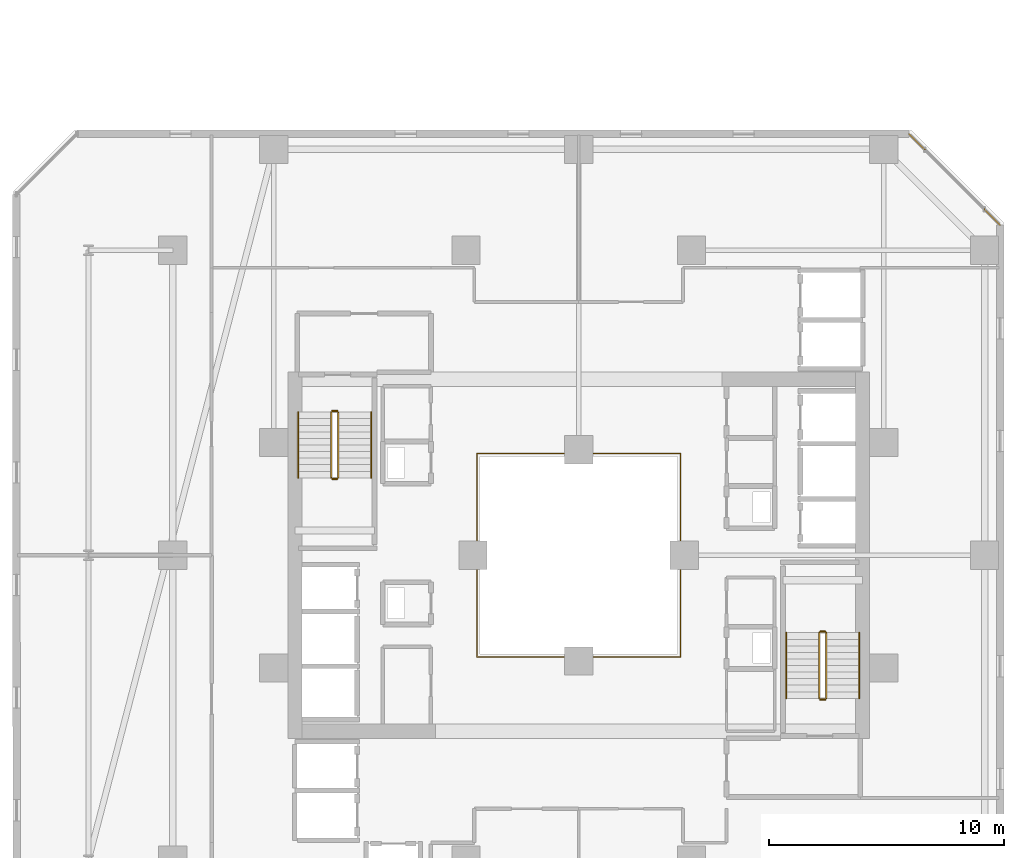
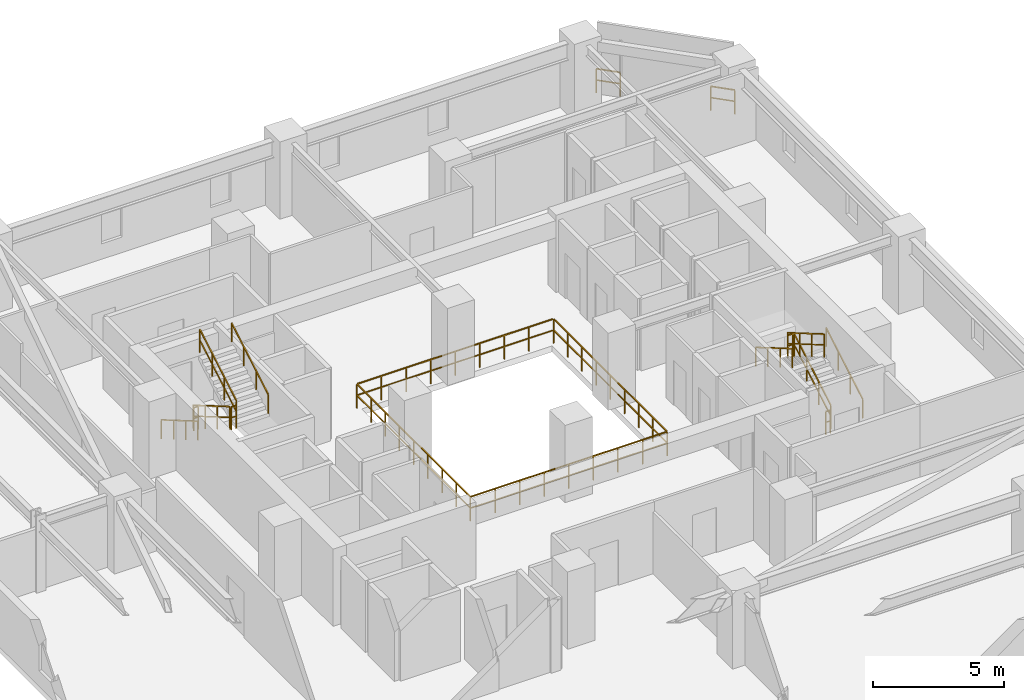
# One storey, part 33 of 33: 15 railings.
"""IFC4 building model written with IfcOpenShell, lengths in metres."""

from ifc_helpers import new_model, si_unit, direction, frame, origin, origin_2d, place, context, subcontext, project, spatial, rectangle, extrude, material, type_object, element, save


model = new_model("IFC4")

# Units and contexts
model_context = context("Model", 3, precision=1e-05, world=origin(), true_north=direction((0.0, 1.0)))
body_context = subcontext(model_context, "Body", "Model", "MODEL_VIEW")
ifc_project = project(units=[si_unit("LENGTHUNIT", "METRE"), si_unit("AREAUNIT", "SQUARE_METRE"), si_unit("VOLUMEUNIT", "CUBIC_METRE"), si_unit("PLANEANGLEUNIT", "RADIAN"), si_unit("MASSUNIT", "GRAM", prefix="KILO")], contexts=[model_context])

# Site, building, storey
site_placement = place(None, origin())
site = spatial("IfcSite", under=ifc_project, at=site_placement, CompositionType="ELEMENT")
building_placement = place(site_placement, origin())
building = spatial("IfcBuilding", under=site, at=building_placement, Name="Thornwick Lancets Civic Towers", CompositionType="ELEMENT")
storey_placement = place(building_placement, frame((0.0, 0.0, 101.699951171875)))
storey = spatial("IfcBuildingStorey", under=building, at=storey_placement, Name="L26", CompositionType="ELEMENT", Elevation=101.699951171875)

# Railings
ifc_material_1 = material(Name="Laminated glass and bronze steel S355", Category="steel")
railing_type_1 = type_object("IfcRailingType", Name="RAIL_ATRIUM_GUARD", PredefinedType="BALUSTRADE", material=ifc_material_1)
railing_1_placement = place(storey_placement, frame((84.159912109375, 22.659912109375, 0.0)))
element("IfcRailing", 1, at=railing_1_placement, inside=storey, type_object=railing_type_1, Name="L26 Tower B Central Atrium Guard Balustrade", PredefinedType="BALUSTRADE", context=body_context, shape_type="SweptSolid", body=[
    extrude(rectangle(XDim=0.048095703125, YDim=0.048095703125, at=origin_2d()), frame((0.0, 0.0, 1.1259765625), z_axis=(1.0, 0.0, 0.0), x_axis=(0.0, 1.0, 0.0)), (0.0, 0.0, 1.0), 8.64892578125),
    extrude(rectangle(XDim=0.0419921875, YDim=0.0419921875, at=origin_2d()), frame((0.03759765625, 0.0, 0.597900390625), z_axis=(1.0, 0.0, 0.0), x_axis=(0.0, 1.0, 0.0)), (0.0, 0.0, 1.0), 1.010009765625),
    extrude(rectangle(XDim=0.0419921875, YDim=0.0419921875, at=origin_2d()), frame((1.12255859375, 0.0, 0.597900390625), z_axis=(1.0, 0.0, 0.0), x_axis=(0.0, 1.0, 0.0)), (0.0, 0.0, 1.0), 1.010009765625),
    extrude(rectangle(XDim=0.0419921875, YDim=0.0419921875, at=origin_2d()), frame((2.20751953125, 0.0, 0.597900390625), z_axis=(1.0, 0.0, 0.0), x_axis=(0.0, 1.0, 0.0)), (0.0, 0.0, 1.0), 1.010009765625),
    extrude(rectangle(XDim=0.0419921875, YDim=0.0419921875, at=origin_2d()), frame((3.29248046875, 0.0, 0.597900390625), z_axis=(1.0, 0.0, 0.0), x_axis=(0.0, 1.0, 0.0)), (0.0, 0.0, 1.0), 1.010009765625),
    extrude(rectangle(XDim=0.0419921875, YDim=0.0419921875, at=origin_2d()), frame((4.377685546875, 0.0, 0.597900390625), z_axis=(1.0, 0.0, 0.0), x_axis=(0.0, 1.0, 0.0)), (0.0, 0.0, 1.0), 1.010009765625),
    extrude(rectangle(XDim=0.0419921875, YDim=0.0419921875, at=origin_2d()), frame((5.462646484375, 0.0, 0.597900390625), z_axis=(1.0, 0.0, 0.0), x_axis=(0.0, 1.0, 0.0)), (0.0, 0.0, 1.0), 1.010009765625),
    extrude(rectangle(XDim=0.0419921875, YDim=0.0419921875, at=origin_2d()), frame((6.547607421875, 0.0, 0.597900390625), z_axis=(1.0, 0.0, 0.0), x_axis=(0.0, 1.0, 0.0)), (0.0, 0.0, 1.0), 1.010009765625),
    extrude(rectangle(XDim=0.0419921875, YDim=0.0419921875, at=origin_2d()), frame((7.632568359375, 0.0, 0.597900390625), z_axis=(1.0, 0.0, 0.0), x_axis=(0.0, 1.0, 0.0)), (0.0, 0.0, 1.0), 1.010009765625),
    extrude(rectangle(XDim=0.048095703125, YDim=0.048095703125, at=origin_2d()), frame((8.68017578125, 0.03125, 1.1259765625), z_axis=(0.0, 1.0, 0.0), x_axis=(-1.0, 0.0, 0.0)), (0.0, 0.0, 1.0), 8.61767578125),
    extrude(rectangle(XDim=0.0419921875, YDim=0.0419921875, at=origin_2d()), frame((8.68017578125, 0.03759765625, 0.597900390625), z_axis=(0.0, 1.0, 0.0), x_axis=(-1.0, 0.0, 0.0)), (0.0, 0.0, 1.0), 1.010009765625),
    extrude(rectangle(XDim=0.0419921875, YDim=0.0419921875, at=origin_2d()), frame((8.68017578125, 1.12255859375, 0.597900390625), z_axis=(0.0, 1.0, 0.0), x_axis=(-1.0, 0.0, 0.0)), (0.0, 0.0, 1.0), 1.010009765625),
    extrude(rectangle(XDim=0.0419921875, YDim=0.0419921875, at=origin_2d()), frame((8.68017578125, 2.20751953125, 0.597900390625), z_axis=(0.0, 1.0, 0.0), x_axis=(-1.0, 0.0, 0.0)), (0.0, 0.0, 1.0), 1.010009765625),
    extrude(rectangle(XDim=0.0419921875, YDim=0.0419921875, at=origin_2d()), frame((8.68017578125, 3.29248046875, 0.597900390625), z_axis=(0.0, 1.0, 0.0), x_axis=(-1.0, 0.0, 0.0)), (0.0, 0.0, 1.0), 1.010009765625),
    extrude(rectangle(XDim=0.0419921875, YDim=0.0419921875, at=origin_2d()), frame((8.68017578125, 4.377685546875, 0.597900390625), z_axis=(0.0, 1.0, 0.0), x_axis=(-1.0, 0.0, 0.0)), (0.0, 0.0, 1.0), 1.010009765625),
    extrude(rectangle(XDim=0.0419921875, YDim=0.0419921875, at=origin_2d()), frame((8.68017578125, 5.462646484375, 0.597900390625), z_axis=(0.0, 1.0, 0.0), x_axis=(-1.0, 0.0, 0.0)), (0.0, 0.0, 1.0), 1.010009765625),
    extrude(rectangle(XDim=0.0419921875, YDim=0.0419921875, at=origin_2d()), frame((8.68017578125, 6.547607421875, 0.597900390625), z_axis=(0.0, 1.0, 0.0), x_axis=(-1.0, 0.0, 0.0)), (0.0, 0.0, 1.0), 1.010009765625),
    extrude(rectangle(XDim=0.0419921875, YDim=0.0419921875, at=origin_2d()), frame((8.68017578125, 7.632568359375, 0.597900390625), z_axis=(0.0, 1.0, 0.0), x_axis=(-1.0, 0.0, 0.0)), (0.0, 0.0, 1.0), 1.010009765625),
    extrude(rectangle(XDim=0.048095703125, YDim=0.048095703125, at=origin_2d()), frame((8.64892578125, 8.68017578125, 1.1259765625), z_axis=(-1.0, 0.0, 0.0), x_axis=(0.0, -1.0, 0.0)), (0.0, 0.0, 1.0), 8.61767578125),
    extrude(rectangle(XDim=0.0419921875, YDim=0.0419921875, at=origin_2d()), frame((8.642578125, 8.68017578125, 0.597900390625), z_axis=(-1.0, 0.0, 0.0), x_axis=(0.0, -1.0, 0.0)), (0.0, 0.0, 1.0), 1.010009765625),
    extrude(rectangle(XDim=0.0419921875, YDim=0.0419921875, at=origin_2d()), frame((7.5576171875, 8.68017578125, 0.597900390625), z_axis=(-1.0, 0.0, 0.0), x_axis=(0.0, -1.0, 0.0)), (0.0, 0.0, 1.0), 1.010009765625),
    extrude(rectangle(XDim=0.0419921875, YDim=0.0419921875, at=origin_2d()), frame((6.47265625, 8.68017578125, 0.597900390625), z_axis=(-1.0, 0.0, 0.0), x_axis=(0.0, -1.0, 0.0)), (0.0, 0.0, 1.0), 1.010009765625),
    extrude(rectangle(XDim=0.0419921875, YDim=0.0419921875, at=origin_2d()), frame((5.3876953125, 8.68017578125, 0.597900390625), z_axis=(-1.0, 0.0, 0.0), x_axis=(0.0, -1.0, 0.0)), (0.0, 0.0, 1.0), 1.010009765625),
    extrude(rectangle(XDim=0.0419921875, YDim=0.0419921875, at=origin_2d()), frame((4.302490234375, 8.68017578125, 0.597900390625), z_axis=(-1.0, 0.0, 0.0), x_axis=(0.0, -1.0, 0.0)), (0.0, 0.0, 1.0), 1.010009765625),
    extrude(rectangle(XDim=0.0419921875, YDim=0.0419921875, at=origin_2d()), frame((3.217529296875, 8.68017578125, 0.597900390625), z_axis=(-1.0, 0.0, 0.0), x_axis=(0.0, -1.0, 0.0)), (0.0, 0.0, 1.0), 1.010009765625),
    extrude(rectangle(XDim=0.0419921875, YDim=0.0419921875, at=origin_2d()), frame((2.132568359375, 8.68017578125, 0.597900390625), z_axis=(-1.0, 0.0, 0.0), x_axis=(0.0, -1.0, 0.0)), (0.0, 0.0, 1.0), 1.010009765625),
    extrude(rectangle(XDim=0.0419921875, YDim=0.0419921875, at=origin_2d()), frame((1.047607421875, 8.68017578125, 0.597900390625), z_axis=(-1.0, 0.0, 0.0), x_axis=(0.0, -1.0, 0.0)), (0.0, 0.0, 1.0), 1.010009765625),
    extrude(rectangle(XDim=0.048095703125, YDim=0.048095703125, at=origin_2d()), frame((0.0, 8.64892578125, 1.1259765625), z_axis=(0.0, -1.0, 0.0), x_axis=(1.0, 0.0, 0.0)), (0.0, 0.0, 1.0), 8.64892578125),
    extrude(rectangle(XDim=0.0419921875, YDim=0.0419921875, at=origin_2d()), frame((0.0, 8.642578125, 0.597900390625), z_axis=(0.0, -1.0, 0.0), x_axis=(1.0, 0.0, 0.0)), (0.0, 0.0, 1.0), 1.010009765625),
    extrude(rectangle(XDim=0.0419921875, YDim=0.0419921875, at=origin_2d()), frame((0.0, 7.5576171875, 0.597900390625), z_axis=(0.0, -1.0, 0.0), x_axis=(1.0, 0.0, 0.0)), (0.0, 0.0, 1.0), 1.010009765625),
    extrude(rectangle(XDim=0.0419921875, YDim=0.0419921875, at=origin_2d()), frame((0.0, 6.47265625, 0.597900390625), z_axis=(0.0, -1.0, 0.0), x_axis=(1.0, 0.0, 0.0)), (0.0, 0.0, 1.0), 1.010009765625),
    extrude(rectangle(XDim=0.0419921875, YDim=0.0419921875, at=origin_2d()), frame((0.0, 5.3876953125, 0.597900390625), z_axis=(0.0, -1.0, 0.0), x_axis=(1.0, 0.0, 0.0)), (0.0, 0.0, 1.0), 1.010009765625),
    extrude(rectangle(XDim=0.0419921875, YDim=0.0419921875, at=origin_2d()), frame((0.0, 4.302490234375, 0.597900390625), z_axis=(0.0, -1.0, 0.0), x_axis=(1.0, 0.0, 0.0)), (0.0, 0.0, 1.0), 1.010009765625),
    extrude(rectangle(XDim=0.0419921875, YDim=0.0419921875, at=origin_2d()), frame((0.0, 3.217529296875, 0.597900390625), z_axis=(0.0, -1.0, 0.0), x_axis=(1.0, 0.0, 0.0)), (0.0, 0.0, 1.0), 1.010009765625),
    extrude(rectangle(XDim=0.0419921875, YDim=0.0419921875, at=origin_2d()), frame((0.0, 2.132568359375, 0.597900390625), z_axis=(0.0, -1.0, 0.0), x_axis=(1.0, 0.0, 0.0)), (0.0, 0.0, 1.0), 1.010009765625),
    extrude(rectangle(XDim=0.0419921875, YDim=0.0419921875, at=origin_2d()), frame((0.0, 1.047607421875, 0.597900390625), z_axis=(0.0, -1.0, 0.0), x_axis=(1.0, 0.0, 0.0)), (0.0, 0.0, 1.0), 1.010009765625),
    extrude(rectangle(XDim=0.0419921875, YDim=0.0419921875, at=origin_2d()), origin(), (0.0, 0.0, 1.0), 1.095703125),
    extrude(rectangle(XDim=0.0419921875, YDim=0.0419921875, at=origin_2d()), frame((1.0849609375, 0.0, 0.0)), (0.0, 0.0, 1.0), 1.095703125),
    extrude(rectangle(XDim=0.0419921875, YDim=0.0419921875, at=origin_2d()), frame((2.169921875, 0.0, 0.0)), (0.0, 0.0, 1.0), 1.095703125),
    extrude(rectangle(XDim=0.0419921875, YDim=0.0419921875, at=origin_2d()), frame((3.255126953125, 0.0, 0.0)), (0.0, 0.0, 1.0), 1.095703125),
    extrude(rectangle(XDim=0.0419921875, YDim=0.0419921875, at=origin_2d()), frame((4.340087890625, 0.0, 0.0)), (0.0, 0.0, 1.0), 1.095703125),
    extrude(rectangle(XDim=0.0419921875, YDim=0.0419921875, at=origin_2d()), frame((5.425048828125, 0.0, 0.0)), (0.0, 0.0, 1.0), 1.095703125),
    extrude(rectangle(XDim=0.0419921875, YDim=0.0419921875, at=origin_2d()), frame((6.51025390625, 0.0, 0.0)), (0.0, 0.0, 1.0), 1.095703125),
    extrude(rectangle(XDim=0.0419921875, YDim=0.0419921875, at=origin_2d()), frame((7.59521484375, 0.0, 0.0)), (0.0, 0.0, 1.0), 1.095703125),
    extrude(rectangle(XDim=0.0419921875, YDim=0.0419921875, at=origin_2d()), frame((8.68017578125, 0.0, 0.0)), (0.0, 0.0, 1.0), 1.095703125),
    extrude(rectangle(XDim=0.0419921875, YDim=0.0419921875, at=origin_2d()), frame((8.68017578125, 1.0849609375, 0.0)), (0.0, 0.0, 1.0), 1.095703125),
    extrude(rectangle(XDim=0.0419921875, YDim=0.0419921875, at=origin_2d()), frame((8.68017578125, 2.169921875, 0.0)), (0.0, 0.0, 1.0), 1.095703125),
    extrude(rectangle(XDim=0.0419921875, YDim=0.0419921875, at=origin_2d()), frame((8.68017578125, 3.255126953125, 0.0)), (0.0, 0.0, 1.0), 1.095703125),
    extrude(rectangle(XDim=0.0419921875, YDim=0.0419921875, at=origin_2d()), frame((8.68017578125, 4.340087890625, 0.0)), (0.0, 0.0, 1.0), 1.095703125),
    extrude(rectangle(XDim=0.0419921875, YDim=0.0419921875, at=origin_2d()), frame((8.68017578125, 5.425048828125, 0.0)), (0.0, 0.0, 1.0), 1.095703125),
    extrude(rectangle(XDim=0.0419921875, YDim=0.0419921875, at=origin_2d()), frame((8.68017578125, 6.51025390625, 0.0)), (0.0, 0.0, 1.0), 1.095703125),
    extrude(rectangle(XDim=0.0419921875, YDim=0.0419921875, at=origin_2d()), frame((8.68017578125, 7.59521484375, 0.0)), (0.0, 0.0, 1.0), 1.095703125),
    extrude(rectangle(XDim=0.0419921875, YDim=0.0419921875, at=origin_2d()), frame((8.68017578125, 8.68017578125, 0.0)), (0.0, 0.0, 1.0), 1.095703125),
    extrude(rectangle(XDim=0.0419921875, YDim=0.0419921875, at=origin_2d()), frame((7.59521484375, 8.68017578125, 0.0)), (0.0, 0.0, 1.0), 1.095703125),
    extrude(rectangle(XDim=0.0419921875, YDim=0.0419921875, at=origin_2d()), frame((6.51025390625, 8.68017578125, 0.0)), (0.0, 0.0, 1.0), 1.095703125),
    extrude(rectangle(XDim=0.0419921875, YDim=0.0419921875, at=origin_2d()), frame((5.425048828125, 8.68017578125, 0.0)), (0.0, 0.0, 1.0), 1.095703125),
    extrude(rectangle(XDim=0.0419921875, YDim=0.0419921875, at=origin_2d()), frame((4.340087890625, 8.68017578125, 0.0)), (0.0, 0.0, 1.0), 1.095703125),
    extrude(rectangle(XDim=0.0419921875, YDim=0.0419921875, at=origin_2d()), frame((3.255126953125, 8.68017578125, 0.0)), (0.0, 0.0, 1.0), 1.095703125),
    extrude(rectangle(XDim=0.0419921875, YDim=0.0419921875, at=origin_2d()), frame((2.169921875, 8.68017578125, 0.0)), (0.0, 0.0, 1.0), 1.095703125),
    extrude(rectangle(XDim=0.0419921875, YDim=0.0419921875, at=origin_2d()), frame((1.0849609375, 8.68017578125, 0.0)), (0.0, 0.0, 1.0), 1.095703125),
    extrude(rectangle(XDim=0.0419921875, YDim=0.0419921875, at=origin_2d()), frame((0.0, 8.68017578125, 0.0)), (0.0, 0.0, 1.0), 1.095703125),
    extrude(rectangle(XDim=0.0419921875, YDim=0.0419921875, at=origin_2d()), frame((0.0, 7.59521484375, 0.0)), (0.0, 0.0, 1.0), 1.095703125),
    extrude(rectangle(XDim=0.0419921875, YDim=0.0419921875, at=origin_2d()), frame((0.0, 6.51025390625, 0.0)), (0.0, 0.0, 1.0), 1.095703125),
    extrude(rectangle(XDim=0.0419921875, YDim=0.0419921875, at=origin_2d()), frame((0.0, 5.425048828125, 0.0)), (0.0, 0.0, 1.0), 1.095703125),
    extrude(rectangle(XDim=0.0419921875, YDim=0.0419921875, at=origin_2d()), frame((0.0, 4.340087890625, 0.0)), (0.0, 0.0, 1.0), 1.095703125),
    extrude(rectangle(XDim=0.0419921875, YDim=0.0419921875, at=origin_2d()), frame((0.0, 3.255126953125, 0.0)), (0.0, 0.0, 1.0), 1.095703125),
    extrude(rectangle(XDim=0.0419921875, YDim=0.0419921875, at=origin_2d()), frame((0.0, 2.169921875, 0.0)), (0.0, 0.0, 1.0), 1.095703125),
    extrude(rectangle(XDim=0.0419921875, YDim=0.0419921875, at=origin_2d()), frame((0.0, 1.0849609375, 0.0)), (0.0, 0.0, 1.0), 1.095703125),
])
ifc_material_2 = material(Name="Brushed stainless steel S355", Category="steel")
railing_type_2 = type_object("IfcRailingType", Name="RAIL_HANDRAIL", PredefinedType="HANDRAIL", material=ifc_material_2)
railing_2_placement = place(storey_placement, frame((100.449951171875, 20.89990234375, 0.16357421875)))
element("IfcRailing", 2, at=railing_2_placement, inside=storey, type_object=railing_type_2, Name="L26 ST-B1 stair handrail 1", PredefinedType="HANDRAIL", context=body_context, shape_type="SweptSolid", body=[
    extrude(rectangle(XDim=0.048095703125, YDim=0.048095703125, at=origin_2d()), frame((0.0, 0.0, 0.8857421875), z_axis=(0.0, 0.863360870873, 0.504586966384), x_axis=(-1.0, 0.0, 0.0)), (0.0, 0.0, 1.0), 3.2431640625),
    extrude(rectangle(XDim=0.0419921875, YDim=0.0419921875, at=origin_2d()), origin(), (0.0, 0.0, 1.0), 0.855712890625),
    extrude(rectangle(XDim=0.0419921875, YDim=0.0419921875, at=origin_2d()), frame((0.0, 0.933349609375, 0.54541015625)), (0.0, 0.0, 1.0), 0.855712890625),
    extrude(rectangle(XDim=0.0419921875, YDim=0.0419921875, at=origin_2d()), frame((0.0, 1.86669921875, 1.091064453125)), (0.0, 0.0, 1.0), 0.855712890625),
    extrude(rectangle(XDim=0.0419921875, YDim=0.0419921875, at=origin_2d()), frame((0.0, 2.800048828125, 1.636474609375)), (0.0, 0.0, 1.0), 0.855712890625),
])
for number, where, name in (
    (3, (97.35009765625, 23.699951171875, 1.963623046875), "L26 ST-B1 stair handrail 2"),
    (4, (76.550048828125, 33.10009765625, 0.16357421875), "L26 ST-B2 stair handrail 1"),
):
    element("IfcRailing", number, at=place(storey_placement, frame(where)), inside=storey, type_object=railing_type_2, Name=name, PredefinedType="HANDRAIL", context=body_context, shape_type="SweptSolid", body=[
        extrude(rectangle(XDim=0.048095703125, YDim=0.048095703125, at=origin_2d()), frame((0.0, 0.0, 0.8857421875), z_axis=(0.0, -0.863360870873, 0.504586966384), x_axis=(1.0, 0.0, 0.0)), (0.0, 0.0, 1.0), 3.2431640625),
        extrude(rectangle(XDim=0.0419921875, YDim=0.0419921875, at=origin_2d()), origin(), (0.0, 0.0, 1.0), 0.855712890625),
        extrude(rectangle(XDim=0.0419921875, YDim=0.0419921875, at=origin_2d()), frame((0.0, -0.933349609375, 0.54541015625)), (0.0, 0.0, 1.0), 0.855712890625),
        extrude(rectangle(XDim=0.0419921875, YDim=0.0419921875, at=origin_2d()), frame((0.0, -1.86669921875, 1.091064453125)), (0.0, 0.0, 1.0), 0.855712890625),
        extrude(rectangle(XDim=0.0419921875, YDim=0.0419921875, at=origin_2d()), frame((0.0, -2.800048828125, 1.636474609375)), (0.0, 0.0, 1.0), 0.855712890625),
    ])
railing_3_placement = place(storey_placement, frame((79.64990234375, 30.300048828125, 1.963623046875)))
element("IfcRailing", 5, at=railing_3_placement, inside=storey, type_object=railing_type_2, Name="L26 ST-B2 stair handrail 2", PredefinedType="HANDRAIL", context=body_context, shape_type="SweptSolid", body=[
    extrude(rectangle(XDim=0.048095703125, YDim=0.048095703125, at=origin_2d()), frame((0.0, 0.0, 0.8857421875), z_axis=(0.0, 0.863360870873, 0.504586966384), x_axis=(-1.0, 0.0, 0.0)), (0.0, 0.0, 1.0), 3.2431640625),
    extrude(rectangle(XDim=0.0419921875, YDim=0.0419921875, at=origin_2d()), origin(), (0.0, 0.0, 1.0), 0.855712890625),
    extrude(rectangle(XDim=0.0419921875, YDim=0.0419921875, at=origin_2d()), frame((0.0, 0.933349609375, 0.54541015625)), (0.0, 0.0, 1.0), 0.855712890625),
    extrude(rectangle(XDim=0.0419921875, YDim=0.0419921875, at=origin_2d()), frame((0.0, 1.86669921875, 1.091064453125)), (0.0, 0.0, 1.0), 0.855712890625),
    extrude(rectangle(XDim=0.0419921875, YDim=0.0419921875, at=origin_2d()), frame((0.0, 2.800048828125, 1.636474609375)), (0.0, 0.0, 1.0), 0.855712890625),
])
ifc_material_3 = material(Name="Steel S355JR", Category="steel")
railing_type_3 = type_object("IfcRailingType", Name="RAIL_STAIR_GUARD", PredefinedType="GUARDRAIL", material=ifc_material_3)
railing_4_placement = place(storey_placement, frame((99.050048828125, 20.89990234375, 0.16357421875)))
element("IfcRailing", 6, at=railing_4_placement, inside=storey, type_object=railing_type_3, Name="L26 ST-B1 stair guard 1", PredefinedType="GUARDRAIL", context=body_context, shape_type="SweptSolid", body=[
    extrude(rectangle(XDim=0.048095703125, YDim=0.048095703125, at=origin_2d()), frame((0.0, 0.0, 1.076171875), z_axis=(0.0, 0.863360870873, 0.504586966384), x_axis=(-1.0, 0.0, 0.0)), (0.0, 0.0, 1.0), 3.2431640625),
    extrude(rectangle(XDim=0.0419921875, YDim=0.0419921875, at=origin_2d()), frame((0.0, 0.032470703125, 0.591064453125), z_axis=(0.0, 0.863360870873, 0.504586966384), x_axis=(-1.0, 0.0, 0.0)), (0.0, 0.0, 1.0), 1.006103515625),
    extrude(rectangle(XDim=0.0419921875, YDim=0.0419921875, at=origin_2d()), frame((0.0, 0.9658203125, 1.136474609375), z_axis=(0.0, 0.863360870873, 0.504586966384), x_axis=(-1.0, 0.0, 0.0)), (0.0, 0.0, 1.0), 1.006103515625),
    extrude(rectangle(XDim=0.0419921875, YDim=0.0419921875, at=origin_2d()), frame((0.0, 1.899169921875, 1.681884765625), z_axis=(0.0, 0.863360870873, 0.504586966384), x_axis=(-1.0, 0.0, 0.0)), (0.0, 0.0, 1.0), 1.006103515625),
    extrude(rectangle(XDim=0.0419921875, YDim=0.0419921875, at=origin_2d()), origin(), (0.0, 0.0, 1.0), 1.0458984375),
    extrude(rectangle(XDim=0.0419921875, YDim=0.0419921875, at=origin_2d()), frame((0.0, 0.933349609375, 0.54541015625)), (0.0, 0.0, 1.0), 1.0458984375),
    extrude(rectangle(XDim=0.0419921875, YDim=0.0419921875, at=origin_2d()), frame((0.0, 1.86669921875, 1.091064453125)), (0.0, 0.0, 1.0), 1.0458984375),
    extrude(rectangle(XDim=0.0419921875, YDim=0.0419921875, at=origin_2d()), frame((0.0, 2.800048828125, 1.636474609375)), (0.0, 0.0, 1.0), 1.0458984375),
])
railing_5_placement = place(storey_placement, frame((99.0, 23.75, 1.800048828125)))
element("IfcRailing", 7, at=railing_5_placement, inside=storey, type_object=railing_type_3, Name="L26 ST-B1 stair guard 2", PredefinedType="GUARDRAIL", context=body_context, shape_type="SweptSolid", body=[
    extrude(rectangle(XDim=0.048095703125, YDim=0.048095703125, at=origin_2d()), frame((0.0, 0.0, 1.076171875), z_axis=(-1.0, 0.0, 0.0), x_axis=(0.0, -1.0, 0.0)), (0.0, 0.0, 1.0), 0.199951171875),
    extrude(rectangle(XDim=0.0419921875, YDim=0.0419921875, at=origin_2d()), frame((-0.03759765625, 0.0, 0.572021484375), z_axis=(-1.0, 0.0, 0.0), x_axis=(0.0, -1.0, 0.0)), (0.0, 0.0, 1.0), 0.125),
    extrude(rectangle(XDim=0.0419921875, YDim=0.0419921875, at=origin_2d()), origin(), (0.0, 0.0, 1.0), 1.0458984375),
    extrude(rectangle(XDim=0.0419921875, YDim=0.0419921875, at=origin_2d()), frame((-0.199951171875, 0.0, 0.0)), (0.0, 0.0, 1.0), 1.0458984375),
])
railing_6_placement = place(storey_placement, frame((98.75, 23.699951171875, 1.963623046875)))
element("IfcRailing", 8, at=railing_6_placement, inside=storey, type_object=railing_type_3, Name="L26 ST-B1 stair guard 3", PredefinedType="GUARDRAIL", context=body_context, shape_type="SweptSolid", body=[
    extrude(rectangle(XDim=0.048095703125, YDim=0.048095703125, at=origin_2d()), frame((0.0, 0.0, 1.076171875), z_axis=(0.0, -0.863360870873, 0.504586966384), x_axis=(1.0, 0.0, 0.0)), (0.0, 0.0, 1.0), 3.2431640625),
    extrude(rectangle(XDim=0.0419921875, YDim=0.0419921875, at=origin_2d()), frame((0.0, -0.032470703125, 0.591064453125), z_axis=(0.0, -0.863360870873, 0.504586966384), x_axis=(1.0, 0.0, 0.0)), (0.0, 0.0, 1.0), 1.006103515625),
    extrude(rectangle(XDim=0.0419921875, YDim=0.0419921875, at=origin_2d()), frame((0.0, -0.9658203125, 1.136474609375), z_axis=(0.0, -0.863360870873, 0.504586966384), x_axis=(1.0, 0.0, 0.0)), (0.0, 0.0, 1.0), 1.006103515625),
    extrude(rectangle(XDim=0.0419921875, YDim=0.0419921875, at=origin_2d()), frame((0.0, -1.899169921875, 1.681884765625), z_axis=(0.0, -0.863360870873, 0.504586966384), x_axis=(1.0, 0.0, 0.0)), (0.0, 0.0, 1.0), 1.006103515625),
    extrude(rectangle(XDim=0.0419921875, YDim=0.0419921875, at=origin_2d()), origin(), (0.0, 0.0, 1.0), 1.0458984375),
    extrude(rectangle(XDim=0.0419921875, YDim=0.0419921875, at=origin_2d()), frame((0.0, -0.933349609375, 0.54541015625)), (0.0, 0.0, 1.0), 1.0458984375),
    extrude(rectangle(XDim=0.0419921875, YDim=0.0419921875, at=origin_2d()), frame((0.0, -1.86669921875, 1.091064453125)), (0.0, 0.0, 1.0), 1.0458984375),
    extrude(rectangle(XDim=0.0419921875, YDim=0.0419921875, at=origin_2d()), frame((0.0, -2.800048828125, 1.636474609375)), (0.0, 0.0, 1.0), 1.0458984375),
])
railing_7_placement = place(storey_placement, frame((99.0, 20.85009765625, 0.0)))
element("IfcRailing", 9, at=railing_7_placement, inside=storey, type_object=railing_type_3, Name="L26 ST-B1 stair guard 4", PredefinedType="GUARDRAIL", context=body_context, shape_type="SweptSolid", body=[
    extrude(rectangle(XDim=0.048095703125, YDim=0.048095703125, at=origin_2d()), frame((0.0, 0.0, 1.076171875), z_axis=(-1.0, 0.0, 0.0), x_axis=(0.0, -1.0, 0.0)), (0.0, 0.0, 1.0), 0.199951171875),
    extrude(rectangle(XDim=0.0419921875, YDim=0.0419921875, at=origin_2d()), frame((-0.03759765625, 0.0, 0.572021484375), z_axis=(-1.0, 0.0, 0.0), x_axis=(0.0, -1.0, 0.0)), (0.0, 0.0, 1.0), 0.125),
    extrude(rectangle(XDim=0.0419921875, YDim=0.0419921875, at=origin_2d()), origin(), (0.0, 0.0, 1.0), 1.0458984375),
    extrude(rectangle(XDim=0.0419921875, YDim=0.0419921875, at=origin_2d()), frame((-0.199951171875, 0.0, 0.0)), (0.0, 0.0, 1.0), 1.0458984375),
])
railing_8_placement = place(storey_placement, frame((77.949951171875, 33.10009765625, 0.16357421875)))
element("IfcRailing", 10, at=railing_8_placement, inside=storey, type_object=railing_type_3, Name="L26 ST-B2 stair guard 1", PredefinedType="GUARDRAIL", context=body_context, shape_type="SweptSolid", body=[
    extrude(rectangle(XDim=0.048095703125, YDim=0.048095703125, at=origin_2d()), frame((0.0, 0.0, 1.076171875), z_axis=(0.0, -0.863360870873, 0.504586966384), x_axis=(1.0, 0.0, 0.0)), (0.0, 0.0, 1.0), 3.2431640625),
    extrude(rectangle(XDim=0.0419921875, YDim=0.0419921875, at=origin_2d()), frame((0.0, -0.032470703125, 0.591064453125), z_axis=(0.0, -0.863360870873, 0.504586966384), x_axis=(1.0, 0.0, 0.0)), (0.0, 0.0, 1.0), 1.006103515625),
    extrude(rectangle(XDim=0.0419921875, YDim=0.0419921875, at=origin_2d()), frame((0.0, -0.9658203125, 1.136474609375), z_axis=(0.0, -0.863360870873, 0.504586966384), x_axis=(1.0, 0.0, 0.0)), (0.0, 0.0, 1.0), 1.006103515625),
    extrude(rectangle(XDim=0.0419921875, YDim=0.0419921875, at=origin_2d()), frame((0.0, -1.899169921875, 1.681884765625), z_axis=(0.0, -0.863360870873, 0.504586966384), x_axis=(1.0, 0.0, 0.0)), (0.0, 0.0, 1.0), 1.006103515625),
    extrude(rectangle(XDim=0.0419921875, YDim=0.0419921875, at=origin_2d()), origin(), (0.0, 0.0, 1.0), 1.0458984375),
    extrude(rectangle(XDim=0.0419921875, YDim=0.0419921875, at=origin_2d()), frame((0.0, -0.933349609375, 0.54541015625)), (0.0, 0.0, 1.0), 1.0458984375),
    extrude(rectangle(XDim=0.0419921875, YDim=0.0419921875, at=origin_2d()), frame((0.0, -1.86669921875, 1.091064453125)), (0.0, 0.0, 1.0), 1.0458984375),
    extrude(rectangle(XDim=0.0419921875, YDim=0.0419921875, at=origin_2d()), frame((0.0, -2.800048828125, 1.636474609375)), (0.0, 0.0, 1.0), 1.0458984375),
])
railing_9_placement = place(storey_placement, frame((78.0, 30.25, 1.800048828125)))
element("IfcRailing", 11, at=railing_9_placement, inside=storey, type_object=railing_type_3, Name="L26 ST-B2 stair guard 2", PredefinedType="GUARDRAIL", context=body_context, shape_type="SweptSolid", body=[
    extrude(rectangle(XDim=0.048095703125, YDim=0.048095703125, at=origin_2d()), frame((0.0, 0.0, 1.076171875), z_axis=(1.0, 0.0, 0.0), x_axis=(0.0, 1.0, 0.0)), (0.0, 0.0, 1.0), 0.199951171875),
    extrude(rectangle(XDim=0.0419921875, YDim=0.0419921875, at=origin_2d()), frame((0.03759765625, 0.0, 0.572021484375), z_axis=(1.0, 0.0, 0.0), x_axis=(0.0, 1.0, 0.0)), (0.0, 0.0, 1.0), 0.125),
    extrude(rectangle(XDim=0.0419921875, YDim=0.0419921875, at=origin_2d()), origin(), (0.0, 0.0, 1.0), 1.0458984375),
    extrude(rectangle(XDim=0.0419921875, YDim=0.0419921875, at=origin_2d()), frame((0.199951171875, 0.0, 0.0)), (0.0, 0.0, 1.0), 1.0458984375),
])
railing_10_placement = place(storey_placement, frame((78.25, 30.300048828125, 1.963623046875)))
element("IfcRailing", 12, at=railing_10_placement, inside=storey, type_object=railing_type_3, Name="L26 ST-B2 stair guard 3", PredefinedType="GUARDRAIL", context=body_context, shape_type="SweptSolid", body=[
    extrude(rectangle(XDim=0.048095703125, YDim=0.048095703125, at=origin_2d()), frame((0.0, 0.0, 1.076171875), z_axis=(0.0, 0.863360870873, 0.504586966384), x_axis=(-1.0, 0.0, 0.0)), (0.0, 0.0, 1.0), 3.2431640625),
    extrude(rectangle(XDim=0.0419921875, YDim=0.0419921875, at=origin_2d()), frame((0.0, 0.032470703125, 0.591064453125), z_axis=(0.0, 0.863360870873, 0.504586966384), x_axis=(-1.0, 0.0, 0.0)), (0.0, 0.0, 1.0), 1.006103515625),
    extrude(rectangle(XDim=0.0419921875, YDim=0.0419921875, at=origin_2d()), frame((0.0, 0.9658203125, 1.136474609375), z_axis=(0.0, 0.863360870873, 0.504586966384), x_axis=(-1.0, 0.0, 0.0)), (0.0, 0.0, 1.0), 1.006103515625),
    extrude(rectangle(XDim=0.0419921875, YDim=0.0419921875, at=origin_2d()), frame((0.0, 1.899169921875, 1.681884765625), z_axis=(0.0, 0.863360870873, 0.504586966384), x_axis=(-1.0, 0.0, 0.0)), (0.0, 0.0, 1.0), 1.006103515625),
    extrude(rectangle(XDim=0.0419921875, YDim=0.0419921875, at=origin_2d()), origin(), (0.0, 0.0, 1.0), 1.0458984375),
    extrude(rectangle(XDim=0.0419921875, YDim=0.0419921875, at=origin_2d()), frame((0.0, 0.933349609375, 0.54541015625)), (0.0, 0.0, 1.0), 1.0458984375),
    extrude(rectangle(XDim=0.0419921875, YDim=0.0419921875, at=origin_2d()), frame((0.0, 1.86669921875, 1.091064453125)), (0.0, 0.0, 1.0), 1.0458984375),
    extrude(rectangle(XDim=0.0419921875, YDim=0.0419921875, at=origin_2d()), frame((0.0, 2.800048828125, 1.636474609375)), (0.0, 0.0, 1.0), 1.0458984375),
])
railing_11_placement = place(storey_placement, frame((78.0, 33.14990234375, 0.0)))
element("IfcRailing", 13, at=railing_11_placement, inside=storey, type_object=railing_type_3, Name="L26 ST-B2 stair guard 4", PredefinedType="GUARDRAIL", context=body_context, shape_type="SweptSolid", body=[
    extrude(rectangle(XDim=0.048095703125, YDim=0.048095703125, at=origin_2d()), frame((0.0, 0.0, 1.076171875), z_axis=(1.0, 0.0, 0.0), x_axis=(0.0, 1.0, 0.0)), (0.0, 0.0, 1.0), 0.199951171875),
    extrude(rectangle(XDim=0.0419921875, YDim=0.0419921875, at=origin_2d()), frame((0.03759765625, 0.0, 0.572021484375), z_axis=(1.0, 0.0, 0.0), x_axis=(0.0, 1.0, 0.0)), (0.0, 0.0, 1.0), 0.125),
    extrude(rectangle(XDim=0.0419921875, YDim=0.0419921875, at=origin_2d()), origin(), (0.0, 0.0, 1.0), 1.0458984375),
    extrude(rectangle(XDim=0.0419921875, YDim=0.0419921875, at=origin_2d()), frame((0.199951171875, 0.0, 0.0)), (0.0, 0.0, 1.0), 1.0458984375),
])
ifc_material_4 = material(Name="Terracotta-capped laminated glass balustrade S355", Category="masonry")
railing_type_4 = type_object("IfcRailingType", Name="RAIL_TERR_GUARD", PredefinedType="GUARDRAIL", material=ifc_material_4)
railing_12_placement = place(storey_placement, frame((106.46044921875, 41.077392578125, 0.0)))
element("IfcRailing", 14, at=railing_12_placement, inside=storey, type_object=railing_type_4, Name="L26 Tower B Chamfer Spandrel Guard E3-1", PredefinedType="GUARDRAIL", context=body_context, shape_type="SweptSolid", body=[
    extrude(rectangle(XDim=0.048095703125, YDim=0.048095703125, at=origin_2d()), frame((0.0, 0.0, 1.1259765625), z_axis=(-0.707234567717, 0.706978971559, 0.0), x_axis=(-0.706978971559, -0.707234567717, 0.0)), (0.0, 0.0, 1.0), 0.955078125),
    extrude(rectangle(XDim=0.0419921875, YDim=0.0419921875, at=origin_2d()), frame((-0.026611328125, 0.026611328125, 0.597900390625), z_axis=(-0.707234567717, 0.706978971559, 0.0), x_axis=(-0.706978971559, -0.707234567717, 0.0)), (0.0, 0.0, 1.0), 0.880126953125),
    extrude(rectangle(XDim=0.0419921875, YDim=0.0419921875, at=origin_2d()), origin(), (0.0, 0.0, 1.0), 1.095703125),
    extrude(rectangle(XDim=0.0419921875, YDim=0.0419921875, at=origin_2d()), frame((-0.675537109375, 0.67529296875, 0.0)), (0.0, 0.0, 1.0), 1.095703125),
])
railing_13_placement = place(storey_placement, frame((103.252685546875, 44.284912109375, 0.0)))
element("IfcRailing", 15, at=railing_13_placement, inside=storey, type_object=railing_type_4, Name="L26 Tower B Chamfer Spandrel Guard E3-2", PredefinedType="GUARDRAIL", context=body_context, shape_type="SweptSolid", body=[
    extrude(rectangle(XDim=0.048095703125, YDim=0.048095703125, at=origin_2d()), frame((0.0, 0.0, 1.1259765625), z_axis=(-0.706978971559, 0.707234567717, 0.0), x_axis=(-0.707234567717, -0.706978971559, 0.0)), (0.0, 0.0, 1.0), 0.955078125),
    extrude(rectangle(XDim=0.0419921875, YDim=0.0419921875, at=origin_2d()), frame((-0.026611328125, 0.026611328125, 0.597900390625), z_axis=(-0.706978971559, 0.707234567717, 0.0), x_axis=(-0.707234567717, -0.706978971559, 0.0)), (0.0, 0.0, 1.0), 0.880126953125),
    extrude(rectangle(XDim=0.0419921875, YDim=0.0419921875, at=origin_2d()), origin(), (0.0, 0.0, 1.0), 1.095703125),
    extrude(rectangle(XDim=0.0419921875, YDim=0.0419921875, at=origin_2d()), frame((-0.67529296875, 0.675537109375, 0.0)), (0.0, 0.0, 1.0), 1.095703125),
])

save(model, "model.ifc")
